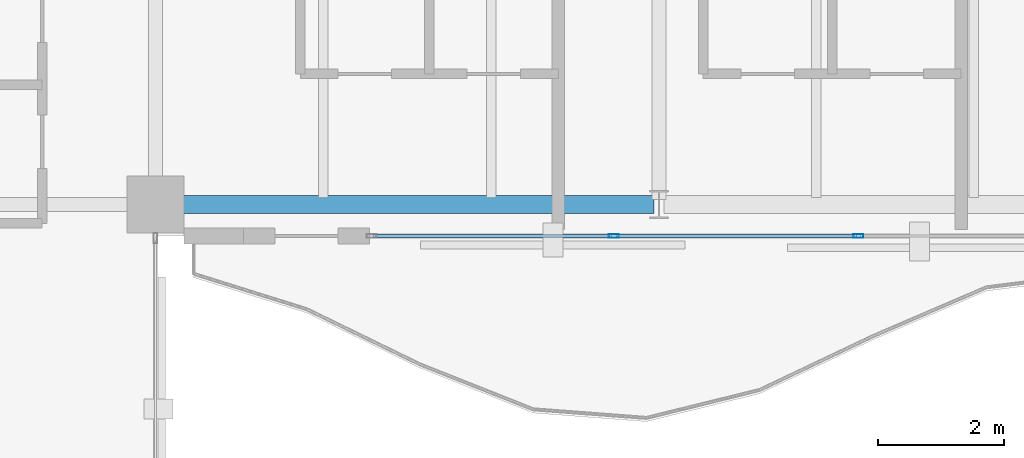
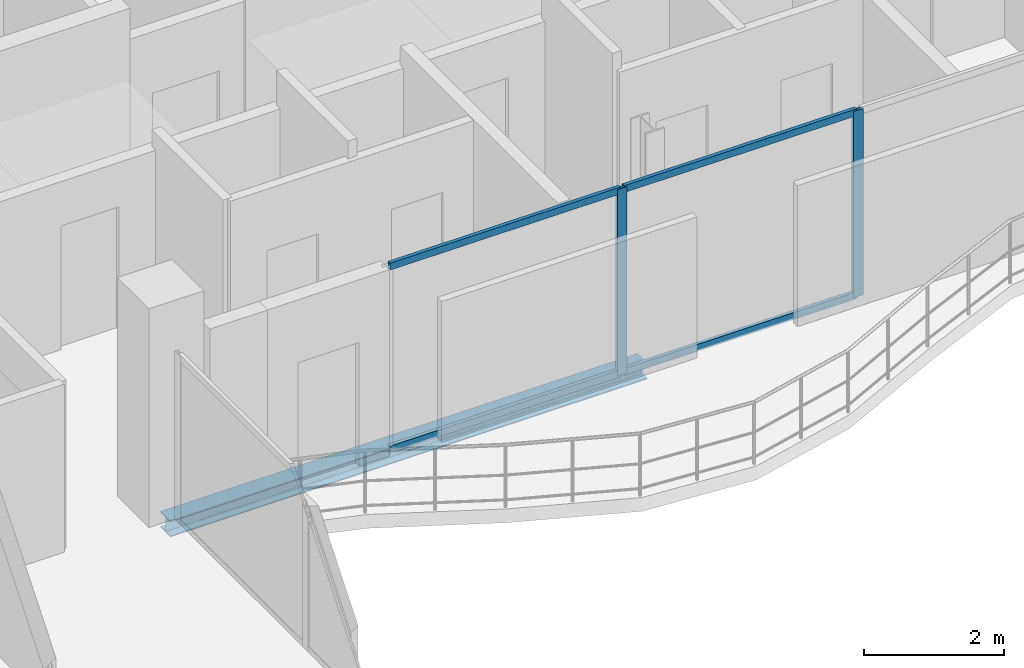
# One storey, part 9 of 22: 6 members, 1 beam, 1 element without a shape of its own.
"""IFC4 building model written with IfcOpenShell, lengths in metres."""

from ifc_helpers import new_model, si_unit, direction, frame, origin, origin_2d, place, context, subcontext, project, spatial, hollow_rectangle, i_section, extrude, material, layer, layer_set, material_profile, profile_set, type_object, element, aggregate, save


model = new_model("IFC4")

# Units and contexts
model_context = context("Model", 3, precision=1e-05, world=origin(), true_north=direction((0.0, 1.0)))
body_context = subcontext(model_context, "Body", "Model", "MODEL_VIEW")
ifc_project = project(units=[si_unit("LENGTHUNIT", "METRE"), si_unit("AREAUNIT", "SQUARE_METRE"), si_unit("VOLUMEUNIT", "CUBIC_METRE"), si_unit("PLANEANGLEUNIT", "RADIAN"), si_unit("MASSUNIT", "GRAM", prefix="KILO")], contexts=[model_context])

# Site, building, storey
site_placement = place(None, origin())
site = spatial("IfcSite", under=ifc_project, at=site_placement, CompositionType="ELEMENT")
building_placement = place(site_placement, origin())
building = spatial("IfcBuilding", under=site, at=building_placement, Name="Catumbela Crestline Tower", CompositionType="ELEMENT")
storey_placement = place(building_placement, frame((0.0, 0.0, 229.8)))
storey = spatial("IfcBuildingStorey", under=building, at=storey_placement, Name="L59", CompositionType="ELEMENT", Elevation=229.8)

# Curtain wall, members
ifc_material_1 = material(Name="Aluminium alloy AW-6060-T66", Category="aluminium")
ifc_layer = layer(ifc_material_1, 0.18, Name="Aluminium alloy AW-6060-T66")
ifc_layer_set = layer_set([ifc_layer], Name="Aluminium alloy AW-6060-T66")
curtain_wall_type = type_object("IfcCurtainWallType", Name="CWU-Z4", PredefinedType="USERDEFINED", material=ifc_layer_set)
curtain_wall_placement = place(storey_placement, origin())
curtain_wall = element("IfcCurtainWall", 1, at=curtain_wall_placement, inside=storey, type_object=curtain_wall_type, Name="L59 Unitised Curtain Wall CW-L59-E3S2", ObjectType="UNITISED", PredefinedType="USERDEFINED")
ifc_material_profile_1 = material_profile(ifc_material_1, hollow_rectangle(XDim=0.06, YDim=0.16, WallThickness=0.004, at=origin_2d()), Name="ALU 160x60x4")
ifc_profile_set_1 = profile_set([ifc_material_profile_1], Name="Aluminium alloy AW-6060-T66")
member_type_1 = type_object("IfcMemberType", Name="MUL-160X60", PredefinedType="MULLION", material=ifc_profile_set_1)
member_1_placement = place(storey_placement, frame((31.2833, 24.0, 0.0), z_axis=(0.0, 0.0, 1.0), x_axis=(0.0, 1.0, 0.0)))
member_1 = element("IfcMember", 2, at=member_1_placement, type_object=member_type_1, Name="CWU-Z4 mullion 2", PredefinedType="MULLION", context=body_context, shape_type="SweptSolid", body=[
    extrude(hollow_rectangle(XDim=0.06, YDim=0.16, WallThickness=0.004, at=origin_2d()), origin(), (0.0, 0.0, 1.0), 3.24),
])
member_2_placement = place(storey_placement, frame((35.1667, 24.0, 0.0), z_axis=(0.0, 0.0, 1.0), x_axis=(0.0, 1.0, 0.0)))
member_2 = element("IfcMember", 3, at=member_2_placement, type_object=member_type_1, Name="CWU-Z4 mullion 3", PredefinedType="MULLION", context=body_context, shape_type="SweptSolid", body=[
    extrude(hollow_rectangle(XDim=0.06, YDim=0.16, WallThickness=0.004, at=origin_2d()), origin(), (0.0, 0.0, 1.0), 3.24),
])

# Beam
ifc_material_2 = material(Name="Structural steel S355J2", Category="steel")
ifc_material_profile_2 = material_profile(ifc_material_2, i_section(OverallWidth=0.28, OverallDepth=0.28, WebThickness=0.0105, FlangeThickness=0.018, FilletRadius=0.024, at=origin_2d()), Name="HEB 280")
ifc_profile_set_2 = profile_set([ifc_material_profile_2], Name="Structural steel S355J2")
beam_type = type_object("IfcBeamType", Name="BS-HEB280", PredefinedType="SPANDREL", material=ifc_profile_set_2)
beam_placement = place(storey_placement, frame((24.08, 24.5, -0.4), z_axis=(1.0, 0.0, 0.0), x_axis=(0.0, 1.0, 0.0)))
element("IfcBeam", 4, at=beam_placement, inside=storey, type_object=beam_type, Name="L59 Spandrel SP-L59-S04", PredefinedType="SPANDREL", context=body_context, shape_type="SweptSolid", body=[
    extrude(i_section(OverallWidth=0.28, OverallDepth=0.28, WebThickness=0.0105, FlangeThickness=0.018, FilletRadius=0.024, at=origin_2d()), origin(), (0.0, 0.0, 1.0), 7.84),
])

# Member
ifc_material_profile_3 = material_profile(ifc_material_1, hollow_rectangle(XDim=0.06, YDim=0.12, WallThickness=0.0035, at=origin_2d()), Name="ALU 120x60x3.5")
ifc_profile_set_3 = profile_set([ifc_material_profile_3], Name="Aluminium alloy AW-6060-T66")
member_type_2 = type_object("IfcMemberType", Name="TRN-120X60", PredefinedType="USERDEFINED", material=ifc_profile_set_3)
member_3_placement = place(storey_placement, frame((27.465, 24.0, 0.03), z_axis=(1.0, 0.0, 0.0), x_axis=(0.0, 1.0, 0.0)))
member_3 = element("IfcMember", 5, at=member_3_placement, type_object=member_type_2, Name="CWU-Z4 transom 1.1", ObjectType="TRANSOM", PredefinedType="USERDEFINED", context=body_context, shape_type="SweptSolid", body=[
    extrude(hollow_rectangle(XDim=0.06, YDim=0.12, WallThickness=0.0035, at=origin_2d()), origin(), (0.0, 0.0, 1.0), 3.7858),
])

member_4_placement = place(storey_placement, frame((27.465, 24.0, 3.21), z_axis=(1.0, 0.0, 0.0), x_axis=(0.0, 1.0, 0.0)))
member_4 = element("IfcMember", 6, at=member_4_placement, type_object=member_type_2, Name="CWU-Z4 transom 1.2", ObjectType="TRANSOM", PredefinedType="USERDEFINED", context=body_context, shape_type="SweptSolid", body=[
    extrude(hollow_rectangle(XDim=0.06, YDim=0.12, WallThickness=0.0035, at=origin_2d()), origin(), (0.0, 0.0, 1.0), 3.7858),
])

member_5_placement = place(storey_placement, frame((31.3158, 24.0, 0.03), z_axis=(1.0, 0.0, 0.0), x_axis=(0.0, 1.0, 0.0)))
member_5 = element("IfcMember", 7, at=member_5_placement, type_object=member_type_2, Name="CWU-Z4 transom 2.1", ObjectType="TRANSOM", PredefinedType="USERDEFINED", context=body_context, shape_type="SweptSolid", body=[
    extrude(hollow_rectangle(XDim=0.06, YDim=0.12, WallThickness=0.0035, at=origin_2d()), origin(), (0.0, 0.0, 1.0), 3.8184),
])

member_6_placement = place(storey_placement, frame((31.3158, 24.0, 3.21), z_axis=(1.0, 0.0, 0.0), x_axis=(0.0, 1.0, 0.0)))
member_6 = element("IfcMember", 8, at=member_6_placement, type_object=member_type_2, Name="CWU-Z4 transom 2.2", ObjectType="TRANSOM", PredefinedType="USERDEFINED", context=body_context, shape_type="SweptSolid", body=[
    extrude(hollow_rectangle(XDim=0.06, YDim=0.12, WallThickness=0.0035, at=origin_2d()), origin(), (0.0, 0.0, 1.0), 3.8184),
])

aggregate(curtain_wall, [member_1, member_2, member_3, member_4, member_5, member_6])

save(model, "model.ifc")
